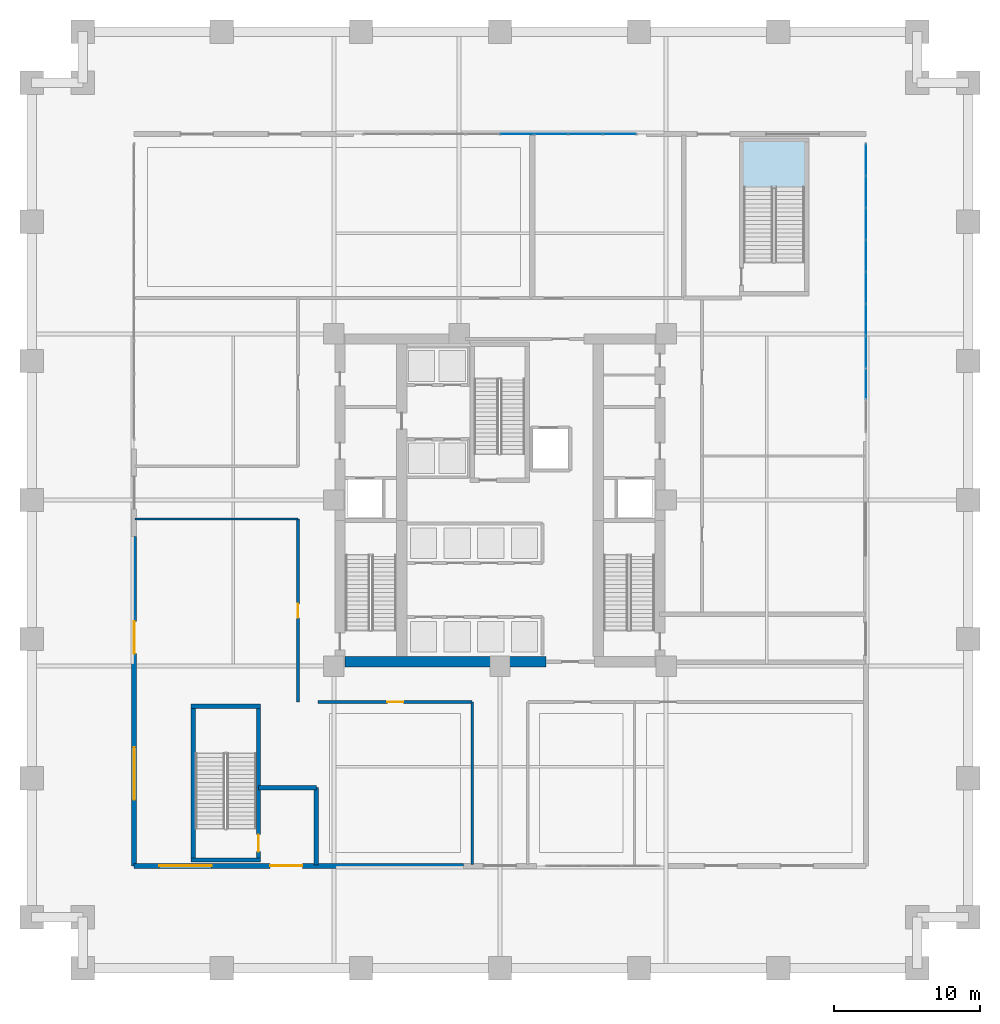
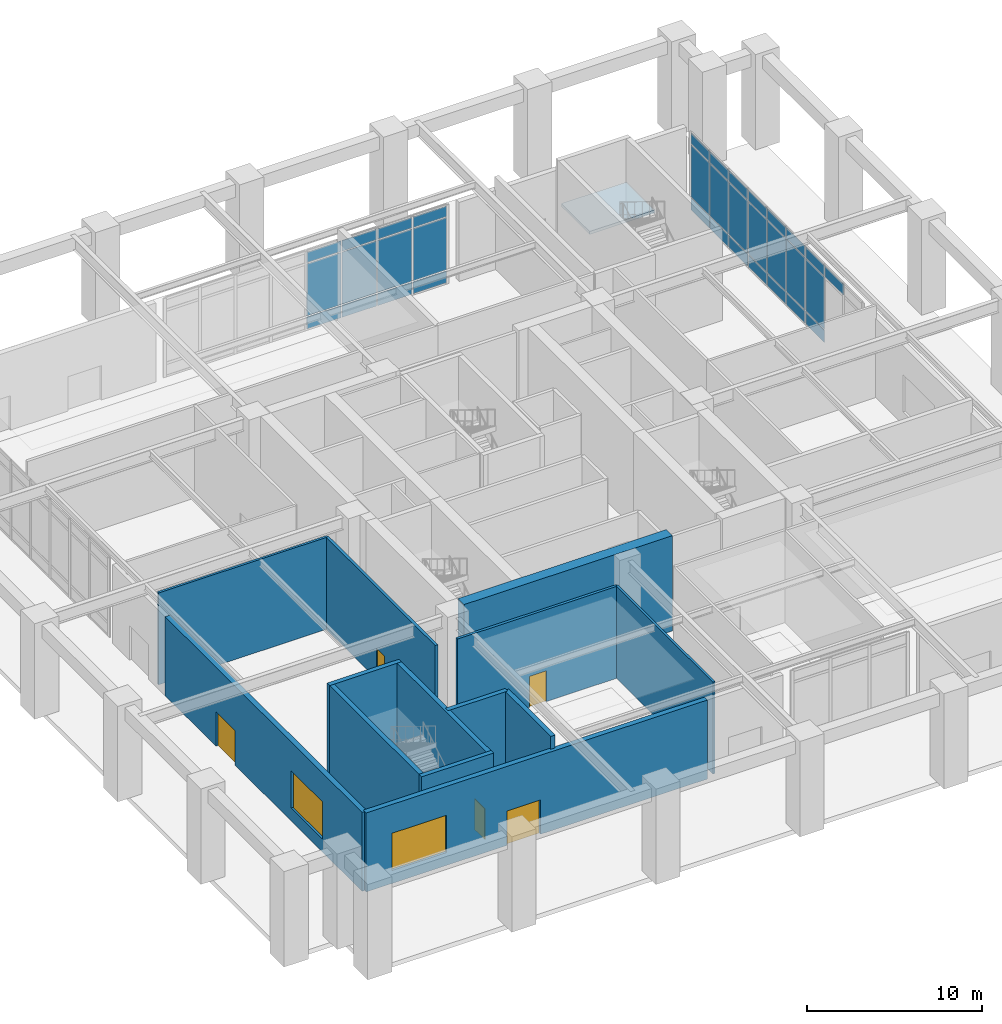
# One storey, part 8 of 17: 34 plates, 13 walls, 5 doors, 2 windows, 1 slab, 7 openings, 3 elements without a shape of their own.
"""IFC4 building model written with IfcOpenShell, lengths in metres."""

import ifcopenshell
import ifcopenshell.guid

model = None  # the IFC model being written
_history = None  # IfcOwnerHistory: only IFC2X3 demands one
_inside = {}  # id of a spatial element -> (the spatial element, [elements in it])
_under = {}  # id of a project, library or spatial element -> (it, [spatial elements below it])
_declared = {}  # id of a project -> (the project, [libraries it declares])
_typed = {}  # id of a type object -> (the type object, [elements of that type])
_made_of = {}  # id of a material, layer set ... -> (it, [elements and type objects made of it])


def new_model(schema):
    """Start an empty IFC model of exactly this schema.

    Asked for "IFC4X3", IfcOpenShell would pick the latest addendum, in which some entities
    have other attributes; the version numbers below select the first issue.
    IFC2X3 requires an IfcOwnerHistory on every rooted entity: one is made here for all.
    """
    global model, _history
    if schema == "IFC4X3":
        model = ifcopenshell.file(schema_version=(4, 3, 0, 0))
    else:
        model = ifcopenshell.file(schema=schema)
    _inside.clear()
    _under.clear()
    _declared.clear()
    _typed.clear()
    _made_of.clear()
    _history = None
    if model.schema == "IFC2X3":
        org = make("IfcOrganization", Name="unknown")
        user = make(
            "IfcPersonAndOrganization",
            ThePerson=make("IfcPerson", FamilyName="unknown"),
            TheOrganization=org,
        )
        app = make(
            "IfcApplication",
            ApplicationDeveloper=org,
            Version="unknown",
            ApplicationFullName="unknown",
            ApplicationIdentifier="unknown",
        )
        _history = make(
            "IfcOwnerHistory",
            OwningUser=user,
            OwningApplication=app,
            ChangeAction="ADDED",
            CreationDate=0,
        )
    return model


def make(cls, **values):
    """One entity of the class cls with the attributes given. An attribute that is None is left unset."""
    return model.create_entity(
        cls, **{name: value for name, value in values.items() if value is not None}
    )


def rooted(cls, **values):
    """An entity with a GlobalId (a new one), such as an element, a storey or a relation."""
    return make(cls, GlobalId=ifcopenshell.guid.new(), OwnerHistory=_history, **values)


def si_unit(unit_type, name, prefix=None):
    """IfcSIUnit, for example si_unit("LENGTHUNIT", "METRE", prefix="MILLI")."""
    return make("IfcSIUnit", UnitType=unit_type, Prefix=prefix, Name=name)


def assignment(units):
    """IfcUnitAssignment: the units of a project."""
    return None if units is None else make("IfcUnitAssignment", Units=units)


def point(xyz):
    """IfcCartesianPoint."""
    return None if xyz is None else make("IfcCartesianPoint", Coordinates=xyz)


def direction(xyz):
    """IfcDirection."""
    return None if xyz is None else make("IfcDirection", DirectionRatios=xyz)


def frame(location, z_axis=None, x_axis=None):
    """IfcAxis2Placement3D, a coordinate frame: its origin and axes. An axis left out is left unset."""
    return make(
        "IfcAxis2Placement3D",
        Location=point(location),
        Axis=direction(z_axis),
        RefDirection=direction(x_axis),
    )


def frame_2d(location, x_axis=None):
    """IfcAxis2Placement2D, a coordinate frame in the plane: its origin and x axis."""
    return make(
        "IfcAxis2Placement2D", Location=point(location), RefDirection=direction(x_axis)
    )


def origin():
    """The frame at (0, 0, 0) with its axes left unset."""
    return frame((0.0, 0.0, 0.0))


def origin_2d():
    """The frame at (0, 0) in the plane with its x axis left unset."""
    return frame_2d((0.0, 0.0))


def place(relative_to, where):
    """IfcLocalPlacement: puts the frame where relative to a parent placement (None: the world)."""
    return make(
        "IfcLocalPlacement", PlacementRelTo=relative_to, RelativePlacement=where
    )


def context(
    kind, dimensions, precision=None, world=None, true_north=None, identifier=None
):
    """IfcGeometricRepresentationContext, for example the 3D "Model" context."""
    return make(
        "IfcGeometricRepresentationContext",
        ContextIdentifier=identifier,
        ContextType=kind,
        CoordinateSpaceDimension=dimensions,
        Precision=precision,
        WorldCoordinateSystem=world,
        TrueNorth=true_north,
    )


def subcontext(parent, identifier, kind, view, scale=None):
    """IfcGeometricRepresentationSubContext, for example "Body" below "Model"."""
    return make(
        "IfcGeometricRepresentationSubContext",
        ContextIdentifier=identifier,
        ContextType=kind,
        ParentContext=parent,
        TargetScale=scale,
        TargetView=view,
    )


def project(units=None, contexts=None):
    """IfcProject with its units and contexts."""
    return rooted(
        "IfcProject",
        Name="project",
        RepresentationContexts=contexts,
        UnitsInContext=assignment(units),
    )


def spatial(cls, under=None, at=None, **own):
    """A site, building, storey or space (cls), placed at a placement, below another one or the project."""
    s = rooted(cls, ObjectPlacement=at, **own)
    if under is not None:
        _under.setdefault(under.id(), (under, []))[1].append(s)
    return s


def polyline(points):
    """IfcPolyline through the points."""
    return make("IfcPolyline", Points=[point(p) for p in points])


def profile(cls, at=None, kind="AREA", **sizes):
    """A parametric profile (cls). Its sizes go by their IFC names, for example OverallWidth=200.0."""
    return make(cls, ProfileType=kind, Position=at, **sizes)


def rectangle(**sizes):
    """IfcRectangleProfileDef."""
    return profile("IfcRectangleProfileDef", **sizes)


def outline(outer, holes=None, kind="AREA"):
    """IfcArbitraryClosedProfileDef: a profile drawn as a closed curve; with holes, ...WithVoids."""
    if holes is None:
        return make("IfcArbitraryClosedProfileDef", ProfileType=kind, OuterCurve=outer)
    return make(
        "IfcArbitraryProfileDefWithVoids",
        ProfileType=kind,
        OuterCurve=outer,
        InnerCurves=holes,
    )


def extrude(swept, where, along, depth):
    """IfcExtrudedAreaSolid: the profile swept, set in the frame where, extruded along a direction by depth."""
    return make(
        "IfcExtrudedAreaSolid",
        SweptArea=swept,
        Position=where,
        ExtrudedDirection=direction(along),
        Depth=depth,
    )


def shape(context_of_items, identifier, shape_type, items):
    """IfcShapeRepresentation: the items that make up one representation, for example the "Body"."""
    return make(
        "IfcShapeRepresentation",
        ContextOfItems=context_of_items,
        RepresentationIdentifier=identifier,
        RepresentationType=shape_type,
        Items=items,
    )


def material(Name=None, Category=None):
    """IfcMaterial."""
    return make("IfcMaterial", Name=Name, Category=Category)


def layer(
    of_material, thickness, ventilated=None, Name=None, Category=None, Priority=None
):
    """IfcMaterialLayer: one layer of a wall or slab, of a material (None: an air gap)."""
    return make(
        "IfcMaterialLayer",
        Material=of_material,
        LayerThickness=thickness,
        IsVentilated=ventilated,
        Name=Name,
        Category=Category,
        Priority=Priority,
    )


def layer_set(layers, Name=None):
    """IfcMaterialLayerSet."""
    return make("IfcMaterialLayerSet", MaterialLayers=layers, LayerSetName=Name)


def made_of(thing, what):
    """Note that an element or type object is made of a material, layer set ...; save() writes the relation."""
    if what is not None:
        _made_of.setdefault(what.id(), (what, []))[1].append(thing)
    return thing


def type_object(cls, material=None, **own):
    """A type object (cls), such as IfcWallType, which elements share."""
    return made_of(rooted(cls, **own), material)


def element(
    cls,
    number,
    at=None,
    inside=None,
    cuts=None,
    type_object=None,
    material=None,
    context=None,
    identifier="Body",
    shape_type=None,
    held_by="IfcProductDefinitionShape",
    body=None,
    shapes=None,
    **own,
):
    """One element of the class cls, such as IfcWall. Its Tag is "e" and its number.

    at: its placement. inside: the storey or other place that contains it. cuts: it is an
    opening in that element (IfcRelVoidsElement). A single representation is given by context,
    identifier, shape_type and body (its items); several are given by shapes. held_by: the class
    of the entity that holds the representations. save() writes the other relations.
    """
    e = rooted(cls, Tag="e%d" % number, ObjectPlacement=at, **own)
    if body is not None:
        shapes = [shape(context, identifier, shape_type, body)]
    if shapes is not None:
        e.Representation = make(held_by, Representations=shapes)
    if inside is not None:
        _inside.setdefault(inside.id(), (inside, []))[1].append(e)
    if cuts is not None:
        rooted(
            "IfcRelVoidsElement", RelatingBuildingElement=cuts, RelatedOpeningElement=e
        )
    if type_object is not None:
        _typed.setdefault(type_object.id(), (type_object, []))[1].append(e)
    return made_of(e, material)


def fill(opening, filler):
    """IfcRelFillsElement: the door or window that sits in an opening."""
    return rooted(
        "IfcRelFillsElement",
        RelatingOpeningElement=opening,
        RelatedBuildingElement=filler,
    )


def aggregate(whole, parts):
    """IfcRelAggregates: a whole, such as a stair, and the parts it consists of."""
    return rooted("IfcRelAggregates", RelatingObject=whole, RelatedObjects=parts)


def save(model, path):
    """Write the relations noted so far, then the file.

    IfcRelAggregates (storeys below a building ...), IfcRelContainedInSpatialStructure (elements
    in a storey), IfcRelDefinesByType, IfcRelAssociatesMaterial and IfcRelDeclares: one each for
    every whole, place, type object, material and project.
    """
    for whole, parts in _under.values():
        aggregate(whole, parts)
    for where, things in _inside.values():
        rooted(
            "IfcRelContainedInSpatialStructure",
            RelatedElements=things,
            RelatingStructure=where,
        )
    for kind, things in _typed.values():
        rooted("IfcRelDefinesByType", RelatedObjects=things, RelatingType=kind)
    for what, things in _made_of.values():
        rooted("IfcRelAssociatesMaterial", RelatedObjects=things, RelatingMaterial=what)
    for by, libraries in _declared.values():
        rooted("IfcRelDeclares", RelatingContext=by, RelatedDefinitions=libraries)
    model.write(path)


model = new_model("IFC4")

# Units and contexts
model_context = context("Model", 3, precision=1e-05, world=origin(), true_north=direction((0.0, 1.0)))
body_context = subcontext(model_context, "Body", "Model", "MODEL_VIEW")
ifc_project = project(units=[si_unit("LENGTHUNIT", "METRE"), si_unit("AREAUNIT", "SQUARE_METRE"), si_unit("VOLUMEUNIT", "CUBIC_METRE"), si_unit("PLANEANGLEUNIT", "RADIAN"), si_unit("MASSUNIT", "GRAM", prefix="KILO")], contexts=[model_context])

# Site, building, storey
site_placement = place(None, origin())
site = spatial("IfcSite", under=ifc_project, at=site_placement, CompositionType="ELEMENT")
building_placement = place(site_placement, origin())
building = spatial("IfcBuilding", under=site, at=building_placement, Name="Nhamokura Convention Tower", CompositionType="ELEMENT")
storey_placement = place(building_placement, origin())
storey = spatial("IfcBuildingStorey", under=building, at=storey_placement, Name="L00", CompositionType="ELEMENT", Elevation=0.0)

# Curtain wall, plates
ifc_material_1 = material(Name="Anodised bronze aluminium AA6063-T6", Category="aluminium")
ifc_layer_1 = layer(ifc_material_1, 0.179931640625)
ifc_layer_set_1 = layer_set([ifc_layer_1], Name="CWSystem_PodiumConcourse")
curtain_wall_type = type_object("IfcCurtainWallType", Name="CWSystem_PodiumConcourse", PredefinedType="NOTDEFINED", material=ifc_layer_set_1)
curtain_wall_1_placement = place(storey_placement, origin())
curtain_wall_1 = element("IfcCurtainWall", 1, at=curtain_wall_1_placement, inside=storey, type_object=curtain_wall_type, Name="L00 Curtain Wall ENV-L00-CW-NCW", PredefinedType="NOTDEFINED")
ifc_material_2 = material(Name="Solar-control bronze low-E double glass", Category="glass")
ifc_layer_2 = layer(ifc_material_2, 0.031982421875)
ifc_layer_set_2 = layer_set([ifc_layer_2], Name="CWGlazedPanel_1")
plate_type = type_object("IfcPlateType", Name="CWGlazedPanel_1", PredefinedType="CURTAIN_PANEL", material=ifc_layer_set_2)
plate_1_placement = place(storey_placement, frame((33.168701171875, 57.0, 0.077880859375), z_axis=(0.0, 0.0, 1.0), x_axis=(1.0, 0.0, 0.0)))
plate_1 = element("IfcPlate", 2, at=plate_1_placement, type_object=plate_type, Name="CW-01 panel 5.1", PredefinedType="CURTAIN_PANEL", context=body_context, shape_type="SweptSolid", body=[
    extrude(rectangle(XDim=2.259521484375, YDim=0.031982421875, at=origin_2d()), origin(), (0.0, 0.0, 1.0), 0.8330078125),
])
plate_2_placement = place(storey_placement, frame((33.168701171875, 57.0, 0.98876953125), z_axis=(0.0, 0.0, 1.0), x_axis=(1.0, 0.0, 0.0)))
plate_2 = element("IfcPlate", 3, at=plate_2_placement, type_object=plate_type, Name="CW-01 panel 5.2", PredefinedType="CURTAIN_PANEL", context=body_context, shape_type="SweptSolid", body=[
    extrude(rectangle(XDim=2.259521484375, YDim=0.031982421875, at=origin_2d()), origin(), (0.0, 0.0, 1.0), 3.632080078125),
])
plate_3_placement = place(storey_placement, frame((33.168701171875, 57.0, 4.698974609375), z_axis=(0.0, 0.0, 1.0), x_axis=(1.0, 0.0, 0.0)))
plate_3 = element("IfcPlate", 4, at=plate_3_placement, type_object=plate_type, Name="CW-01 panel 5.3", PredefinedType="CURTAIN_PANEL", context=body_context, shape_type="SweptSolid", body=[
    extrude(rectangle(XDim=2.259521484375, YDim=0.031982421875, at=origin_2d()), origin(), (0.0, 0.0, 1.0), 0.73291015625),
])
plate_4_placement = place(storey_placement, frame((35.50634765625, 57.0, 0.077880859375), z_axis=(0.0, 0.0, 1.0), x_axis=(1.0, 0.0, 0.0)))
plate_4 = element("IfcPlate", 5, at=plate_4_placement, type_object=plate_type, Name="CW-01 panel 6.1", PredefinedType="CURTAIN_PANEL", context=body_context, shape_type="SweptSolid", body=[
    extrude(rectangle(XDim=2.259521484375, YDim=0.031982421875, at=origin_2d()), origin(), (0.0, 0.0, 1.0), 0.8330078125),
])
plate_5_placement = place(storey_placement, frame((35.50634765625, 57.0, 0.98876953125), z_axis=(0.0, 0.0, 1.0), x_axis=(1.0, 0.0, 0.0)))
plate_5 = element("IfcPlate", 6, at=plate_5_placement, type_object=plate_type, Name="CW-01 panel 6.2", PredefinedType="CURTAIN_PANEL", context=body_context, shape_type="SweptSolid", body=[
    extrude(rectangle(XDim=2.259521484375, YDim=0.031982421875, at=origin_2d()), origin(), (0.0, 0.0, 1.0), 3.632080078125),
])
plate_6_placement = place(storey_placement, frame((35.50634765625, 57.0, 4.698974609375), z_axis=(0.0, 0.0, 1.0), x_axis=(1.0, 0.0, 0.0)))
plate_6 = element("IfcPlate", 7, at=plate_6_placement, type_object=plate_type, Name="CW-01 panel 6.3", PredefinedType="CURTAIN_PANEL", context=body_context, shape_type="SweptSolid", body=[
    extrude(rectangle(XDim=2.259521484375, YDim=0.031982421875, at=origin_2d()), origin(), (0.0, 0.0, 1.0), 0.73291015625),
])
plate_7_placement = place(storey_placement, frame((37.84375, 57.0, 0.077880859375), z_axis=(0.0, 0.0, 1.0), x_axis=(1.0, 0.0, 0.0)))
plate_7 = element("IfcPlate", 8, at=plate_7_placement, type_object=plate_type, Name="CW-01 panel 7.1", PredefinedType="CURTAIN_PANEL", context=body_context, shape_type="SweptSolid", body=[
    extrude(rectangle(XDim=2.259521484375, YDim=0.031982421875, at=origin_2d()), origin(), (0.0, 0.0, 1.0), 0.8330078125),
])
plate_8_placement = place(storey_placement, frame((37.84375, 57.0, 0.98876953125), z_axis=(0.0, 0.0, 1.0), x_axis=(1.0, 0.0, 0.0)))
plate_8 = element("IfcPlate", 9, at=plate_8_placement, type_object=plate_type, Name="CW-01 panel 7.2", PredefinedType="CURTAIN_PANEL", context=body_context, shape_type="SweptSolid", body=[
    extrude(rectangle(XDim=2.259521484375, YDim=0.031982421875, at=origin_2d()), origin(), (0.0, 0.0, 1.0), 3.632080078125),
])
plate_9_placement = place(storey_placement, frame((37.84375, 57.0, 4.698974609375), z_axis=(0.0, 0.0, 1.0), x_axis=(1.0, 0.0, 0.0)))
plate_9 = element("IfcPlate", 10, at=plate_9_placement, type_object=plate_type, Name="CW-01 panel 7.3", PredefinedType="CURTAIN_PANEL", context=body_context, shape_type="SweptSolid", body=[
    extrude(rectangle(XDim=2.259521484375, YDim=0.031982421875, at=origin_2d()), origin(), (0.0, 0.0, 1.0), 0.73291015625),
])
plate_10_placement = place(storey_placement, frame((40.161865234375, 57.0, 0.077880859375), z_axis=(0.0, 0.0, 1.0), x_axis=(1.0, 0.0, 0.0)))
plate_10 = element("IfcPlate", 11, at=plate_10_placement, type_object=plate_type, Name="CW-01 panel 8.1", PredefinedType="CURTAIN_PANEL", context=body_context, shape_type="SweptSolid", body=[
    extrude(rectangle(XDim=2.220458984375, YDim=0.031982421875, at=origin_2d()), origin(), (0.0, 0.0, 1.0), 0.8330078125),
])
plate_11_placement = place(storey_placement, frame((40.161865234375, 57.0, 0.98876953125), z_axis=(0.0, 0.0, 1.0), x_axis=(1.0, 0.0, 0.0)))
plate_11 = element("IfcPlate", 12, at=plate_11_placement, type_object=plate_type, Name="CW-01 panel 8.2", PredefinedType="CURTAIN_PANEL", context=body_context, shape_type="SweptSolid", body=[
    extrude(rectangle(XDim=2.220458984375, YDim=0.031982421875, at=origin_2d()), origin(), (0.0, 0.0, 1.0), 3.632080078125),
])
plate_12_placement = place(storey_placement, frame((40.161865234375, 57.0, 4.698974609375), z_axis=(0.0, 0.0, 1.0), x_axis=(1.0, 0.0, 0.0)))
plate_12 = element("IfcPlate", 13, at=plate_12_placement, type_object=plate_type, Name="CW-01 panel 8.3", PredefinedType="CURTAIN_PANEL", context=body_context, shape_type="SweptSolid", body=[
    extrude(rectangle(XDim=2.220458984375, YDim=0.031982421875, at=origin_2d()), origin(), (0.0, 0.0, 1.0), 0.73291015625),
])
aggregate(curtain_wall_1, [plate_1, plate_2, plate_3, plate_4, plate_5, plate_6, plate_7, plate_8, plate_9, plate_10, plate_11, plate_12])

curtain_wall_2_placement = place(storey_placement, origin())
curtain_wall_2 = element("IfcCurtainWall", 14, at=curtain_wall_2_placement, inside=storey, type_object=curtain_wall_type, Name="L00 Curtain Wall ENV-L00-CW-EN", PredefinedType="NOTDEFINED")
plate_13_placement = place(storey_placement, frame((57.0, 55.236083984375, 0.077880859375), z_axis=(0.0, 0.0, 1.0), x_axis=(0.0, -1.0, 0.0)))
plate_13 = element("IfcPlate", 15, at=plate_13_placement, type_object=plate_type, Name="CW-01 panel 1.1", PredefinedType="CURTAIN_PANEL", context=body_context, shape_type="SweptSolid", body=[
    extrude(rectangle(XDim=2.07177734375, YDim=0.031982421875, at=origin_2d()), origin(), (0.0, 0.0, 1.0), 0.8330078125),
])
plate_14_placement = place(storey_placement, frame((57.0, 55.236083984375, 0.98876953125), z_axis=(0.0, 0.0, 1.0), x_axis=(0.0, -1.0, 0.0)))
plate_14 = element("IfcPlate", 16, at=plate_14_placement, type_object=plate_type, Name="CW-01 panel 1.2", PredefinedType="CURTAIN_PANEL", context=body_context, shape_type="SweptSolid", body=[
    extrude(rectangle(XDim=2.07177734375, YDim=0.031982421875, at=origin_2d()), origin(), (0.0, 0.0, 1.0), 3.632080078125),
])
plate_15_placement = place(storey_placement, frame((57.0, 55.236083984375, 4.698974609375), z_axis=(0.0, 0.0, 1.0), x_axis=(0.0, -1.0, 0.0)))
plate_15 = element("IfcPlate", 17, at=plate_15_placement, type_object=plate_type, Name="CW-01 panel 1.3", PredefinedType="CURTAIN_PANEL", context=body_context, shape_type="SweptSolid", body=[
    extrude(rectangle(XDim=2.07177734375, YDim=0.031982421875, at=origin_2d()), origin(), (0.0, 0.0, 1.0), 0.73291015625),
])
plate_16_placement = place(storey_placement, frame((57.0, 53.066650390625, 0.077880859375), z_axis=(0.0, 0.0, 1.0), x_axis=(0.0, -1.0, 0.0)))
plate_16 = element("IfcPlate", 18, at=plate_16_placement, type_object=plate_type, Name="CW-01 panel 2.1", PredefinedType="CURTAIN_PANEL", context=body_context, shape_type="SweptSolid", body=[
    extrude(rectangle(XDim=2.11083984375, YDim=0.031982421875, at=origin_2d()), origin(), (0.0, 0.0, 1.0), 0.8330078125),
])
plate_17_placement = place(storey_placement, frame((57.0, 53.066650390625, 0.98876953125), z_axis=(0.0, 0.0, 1.0), x_axis=(0.0, -1.0, 0.0)))
plate_17 = element("IfcPlate", 19, at=plate_17_placement, type_object=plate_type, Name="CW-01 panel 2.2", PredefinedType="CURTAIN_PANEL", context=body_context, shape_type="SweptSolid", body=[
    extrude(rectangle(XDim=2.11083984375, YDim=0.031982421875, at=origin_2d()), origin(), (0.0, 0.0, 1.0), 3.632080078125),
])
plate_18_placement = place(storey_placement, frame((57.0, 53.066650390625, 4.698974609375), z_axis=(0.0, 0.0, 1.0), x_axis=(0.0, -1.0, 0.0)))
plate_18 = element("IfcPlate", 20, at=plate_18_placement, type_object=plate_type, Name="CW-01 panel 2.3", PredefinedType="CURTAIN_PANEL", context=body_context, shape_type="SweptSolid", body=[
    extrude(rectangle(XDim=2.11083984375, YDim=0.031982421875, at=origin_2d()), origin(), (0.0, 0.0, 1.0), 0.73291015625),
])
plate_19_placement = place(storey_placement, frame((57.0, 50.877685546875, 0.077880859375), z_axis=(0.0, 0.0, 1.0), x_axis=(0.0, -1.0, 0.0)))
plate_19 = element("IfcPlate", 21, at=plate_19_placement, type_object=plate_type, Name="CW-01 panel 3.1", PredefinedType="CURTAIN_PANEL", context=body_context, shape_type="SweptSolid", body=[
    extrude(rectangle(XDim=2.11083984375, YDim=0.031982421875, at=origin_2d()), origin(), (0.0, 0.0, 1.0), 0.8330078125),
])
plate_20_placement = place(storey_placement, frame((57.0, 50.877685546875, 0.98876953125), z_axis=(0.0, 0.0, 1.0), x_axis=(0.0, -1.0, 0.0)))
plate_20 = element("IfcPlate", 22, at=plate_20_placement, type_object=plate_type, Name="CW-01 panel 3.2", PredefinedType="CURTAIN_PANEL", context=body_context, shape_type="SweptSolid", body=[
    extrude(rectangle(XDim=2.11083984375, YDim=0.031982421875, at=origin_2d()), origin(), (0.0, 0.0, 1.0), 3.632080078125),
])
plate_21_placement = place(storey_placement, frame((57.0, 50.877685546875, 4.698974609375), z_axis=(0.0, 0.0, 1.0), x_axis=(0.0, -1.0, 0.0)))
plate_21 = element("IfcPlate", 23, at=plate_21_placement, type_object=plate_type, Name="CW-01 panel 3.3", PredefinedType="CURTAIN_PANEL", context=body_context, shape_type="SweptSolid", body=[
    extrude(rectangle(XDim=2.11083984375, YDim=0.031982421875, at=origin_2d()), origin(), (0.0, 0.0, 1.0), 0.73291015625),
])
plate_22_placement = place(storey_placement, frame((57.0, 48.68896484375, 0.077880859375), z_axis=(0.0, 0.0, 1.0), x_axis=(0.0, -1.0, 0.0)))
plate_22 = element("IfcPlate", 24, at=plate_22_placement, type_object=plate_type, Name="CW-01 panel 4.1", PredefinedType="CURTAIN_PANEL", context=body_context, shape_type="SweptSolid", body=[
    extrude(rectangle(XDim=2.11083984375, YDim=0.031982421875, at=origin_2d()), origin(), (0.0, 0.0, 1.0), 0.8330078125),
])
plate_23_placement = place(storey_placement, frame((57.0, 48.68896484375, 0.98876953125), z_axis=(0.0, 0.0, 1.0), x_axis=(0.0, -1.0, 0.0)))
plate_23 = element("IfcPlate", 25, at=plate_23_placement, type_object=plate_type, Name="CW-01 panel 4.2", PredefinedType="CURTAIN_PANEL", context=body_context, shape_type="SweptSolid", body=[
    extrude(rectangle(XDim=2.11083984375, YDim=0.031982421875, at=origin_2d()), origin(), (0.0, 0.0, 1.0), 3.632080078125),
])
plate_24_placement = place(storey_placement, frame((57.0, 48.68896484375, 4.698974609375), z_axis=(0.0, 0.0, 1.0), x_axis=(0.0, -1.0, 0.0)))
plate_24 = element("IfcPlate", 26, at=plate_24_placement, type_object=plate_type, Name="CW-01 panel 4.3", PredefinedType="CURTAIN_PANEL", context=body_context, shape_type="SweptSolid", body=[
    extrude(rectangle(XDim=2.11083984375, YDim=0.031982421875, at=origin_2d()), origin(), (0.0, 0.0, 1.0), 0.73291015625),
])
plate_25_placement = place(storey_placement, frame((57.0, 46.5, 0.077880859375), z_axis=(0.0, 0.0, 1.0), x_axis=(0.0, -1.0, 0.0)))
plate_25 = element("IfcPlate", 27, at=plate_25_placement, type_object=plate_type, Name="CW-01 panel 5.1", PredefinedType="CURTAIN_PANEL", context=body_context, shape_type="SweptSolid", body=[
    extrude(rectangle(XDim=2.11083984375, YDim=0.031982421875, at=origin_2d()), origin(), (0.0, 0.0, 1.0), 0.8330078125),
])
plate_26_placement = place(storey_placement, frame((57.0, 46.5, 0.98876953125), z_axis=(0.0, 0.0, 1.0), x_axis=(0.0, -1.0, 0.0)))
plate_26 = element("IfcPlate", 28, at=plate_26_placement, type_object=plate_type, Name="CW-01 panel 5.2", PredefinedType="CURTAIN_PANEL", context=body_context, shape_type="SweptSolid", body=[
    extrude(rectangle(XDim=2.11083984375, YDim=0.031982421875, at=origin_2d()), origin(), (0.0, 0.0, 1.0), 3.632080078125),
])
plate_27_placement = place(storey_placement, frame((57.0, 46.5, 4.698974609375), z_axis=(0.0, 0.0, 1.0), x_axis=(0.0, -1.0, 0.0)))
plate_27 = element("IfcPlate", 29, at=plate_27_placement, type_object=plate_type, Name="CW-01 panel 5.3", PredefinedType="CURTAIN_PANEL", context=body_context, shape_type="SweptSolid", body=[
    extrude(rectangle(XDim=2.11083984375, YDim=0.031982421875, at=origin_2d()), origin(), (0.0, 0.0, 1.0), 0.73291015625),
])
plate_28_placement = place(storey_placement, frame((57.0, 44.31103515625, 0.077880859375), z_axis=(0.0, 0.0, 1.0), x_axis=(0.0, -1.0, 0.0)))
plate_28 = element("IfcPlate", 30, at=plate_28_placement, type_object=plate_type, Name="CW-01 panel 6.1", PredefinedType="CURTAIN_PANEL", context=body_context, shape_type="SweptSolid", body=[
    extrude(rectangle(XDim=2.11083984375, YDim=0.031982421875, at=origin_2d()), origin(), (0.0, 0.0, 1.0), 0.8330078125),
])
plate_29_placement = place(storey_placement, frame((57.0, 44.31103515625, 0.98876953125), z_axis=(0.0, 0.0, 1.0), x_axis=(0.0, -1.0, 0.0)))
plate_29 = element("IfcPlate", 31, at=plate_29_placement, type_object=plate_type, Name="CW-01 panel 6.2", PredefinedType="CURTAIN_PANEL", context=body_context, shape_type="SweptSolid", body=[
    extrude(rectangle(XDim=2.11083984375, YDim=0.031982421875, at=origin_2d()), origin(), (0.0, 0.0, 1.0), 3.632080078125),
])
plate_30_placement = place(storey_placement, frame((57.0, 44.31103515625, 4.698974609375), z_axis=(0.0, 0.0, 1.0), x_axis=(0.0, -1.0, 0.0)))
plate_30 = element("IfcPlate", 32, at=plate_30_placement, type_object=plate_type, Name="CW-01 panel 6.3", PredefinedType="CURTAIN_PANEL", context=body_context, shape_type="SweptSolid", body=[
    extrude(rectangle(XDim=2.11083984375, YDim=0.031982421875, at=origin_2d()), origin(), (0.0, 0.0, 1.0), 0.73291015625),
])
plate_31_placement = place(storey_placement, frame((57.0, 42.122314453125, 0.077880859375), z_axis=(0.0, 0.0, 1.0), x_axis=(0.0, -1.0, 0.0)))
plate_31 = element("IfcPlate", 33, at=plate_31_placement, type_object=plate_type, Name="CW-01 panel 7.1", PredefinedType="CURTAIN_PANEL", context=body_context, shape_type="SweptSolid", body=[
    extrude(rectangle(XDim=2.11083984375, YDim=0.031982421875, at=origin_2d()), origin(), (0.0, 0.0, 1.0), 0.8330078125),
])
plate_32_placement = place(storey_placement, frame((57.0, 42.122314453125, 0.98876953125), z_axis=(0.0, 0.0, 1.0), x_axis=(0.0, -1.0, 0.0)))
plate_32 = element("IfcPlate", 34, at=plate_32_placement, type_object=plate_type, Name="CW-01 panel 7.2", PredefinedType="CURTAIN_PANEL", context=body_context, shape_type="SweptSolid", body=[
    extrude(rectangle(XDim=2.11083984375, YDim=0.031982421875, at=origin_2d()), origin(), (0.0, 0.0, 1.0), 3.632080078125),
])
plate_33_placement = place(storey_placement, frame((57.0, 42.122314453125, 4.698974609375), z_axis=(0.0, 0.0, 1.0), x_axis=(0.0, -1.0, 0.0)))
plate_33 = element("IfcPlate", 35, at=plate_33_placement, type_object=plate_type, Name="CW-01 panel 7.3", PredefinedType="CURTAIN_PANEL", context=body_context, shape_type="SweptSolid", body=[
    extrude(rectangle(XDim=2.11083984375, YDim=0.031982421875, at=origin_2d()), origin(), (0.0, 0.0, 1.0), 0.73291015625),
])
plate_34_placement = place(storey_placement, frame((57.0, 39.933349609375, 4.698974609375), z_axis=(0.0, 0.0, 1.0), x_axis=(0.0, -1.0, 0.0)))
plate_34 = element("IfcPlate", 36, at=plate_34_placement, type_object=plate_type, Name="CW-01 panel 8.3", PredefinedType="CURTAIN_PANEL", context=body_context, shape_type="SweptSolid", body=[
    extrude(rectangle(XDim=2.11083984375, YDim=0.031982421875, at=origin_2d()), origin(), (0.0, 0.0, 1.0), 0.73291015625),
])
aggregate(curtain_wall_2, [plate_13, plate_14, plate_15, plate_16, plate_17, plate_18, plate_19, plate_20, plate_21, plate_22, plate_23, plate_24, plate_25, plate_26, plate_27, plate_28, plate_29, plate_30, plate_31, plate_32, plate_33, plate_34])

# Stair, slab
ifc_material_3 = material(Name="Concrete C40/50", Category="concrete")
stair_type = type_object("IfcStairType", Name="PodiumExitStair_2000", PredefinedType="HALF_TURN_STAIR", material=ifc_material_3)
stair_placement = place(storey_placement, origin())
stair = element("IfcStair", 37, at=stair_placement, inside=storey, type_object=stair_type, Name="L00 North-East Podium Smokeproof Stair ST-05", PredefinedType="HALF_TURN_STAIR")
ifc_material_4 = material(Name="Concrete C40/50", Category="concrete")
ifc_layer_3 = layer(ifc_material_4, 0.199951171875)
ifc_layer_set_3 = layer_set([ifc_layer_3], Name="StairLandingSlab_200")
slab_type = type_object("IfcSlabType", Name="StairLandingSlab_200", PredefinedType="LANDING", material=ifc_layer_set_3)
slab_placement = place(storey_placement, frame((0.0, 0.0, 3.125)))
slab = element("IfcSlab", 38, at=slab_placement, type_object=slab_type, Name="ST-05 landing 1", PredefinedType="LANDING", context=body_context, shape_type="SweptSolid", body=[
    extrude(outline(polyline([(52.8798828125, 53.300048828125), (52.8798828125, 56.530029296875), (48.570068359375, 56.530029296875), (48.570068359375, 53.300048828125), (52.8798828125, 53.300048828125)])), origin(), (0.0, 0.0, 1.0), 0.199951171875),
])
aggregate(stair, [slab])

# Wall, openings, door, window
ifc_material_5 = material(Name="Warm buff architectural precast concrete C45/55", Category="concrete")
ifc_layer_4 = layer(ifc_material_5, 0.340087890625)
ifc_layer_set_4 = layer_set([ifc_layer_4], Name="CastStoneBaseWall_340")
wall_type_1 = type_object("IfcWallType", Name="CastStoneBaseWall_340", PredefinedType="USERDEFINED", material=ifc_layer_set_4)
wall_1_placement = place(storey_placement, frame((29.5, 7.0, 0.0), z_axis=(0.0, 0.0, 1.0), x_axis=(-1.0, 0.0, 0.0)))
wall_1 = element("IfcWall", 39, at=wall_1_placement, inside=storey, type_object=wall_type_1, Name="L00 Arrival Pavilion Wall SL", ObjectType="SPANDREL_WALL", PredefinedType="USERDEFINED", context=body_context, shape_type="SweptSolid", body=[
    extrude(rectangle(XDim=22.5, YDim=0.340087890625, at=frame_2d((11.25, 0.0))), origin(), (0.0, 0.0, 1.0), 5.510009765625),
])
opening_1_placement = place(wall_1_placement, frame((11.0, 0.0, 0.0)))
opening_1 = element("IfcOpeningElement", 40, at=opening_1_placement, cuts=wall_1, Name="Opening D-01", PredefinedType="OPENING", context=body_context, shape_type="SweptSolid", body=[
    extrude(rectangle(XDim=2.199951171875, YDim=2.39990234375, at=frame_2d((1.10009765625, 1.199951171875))), frame((0.0, 0.179931640625, 0.0), z_axis=(0.0, -1.0, 0.0), x_axis=(1.0, 0.0, 0.0)), (0.0, 0.0, 1.0), 0.360107421875),
])
opening_2_placement = place(wall_1_placement, frame((17.199951171875, 0.0, 0.89990234375)))
opening_2 = element("IfcOpeningElement", 41, at=opening_2_placement, cuts=wall_1, Name="Opening W-01", PredefinedType="OPENING", context=body_context, shape_type="SweptSolid", body=[
    extrude(rectangle(XDim=3.60009765625, YDim=2.60009765625, at=frame_2d((1.800048828125, 1.300048828125))), frame((0.0, 0.179931640625, 0.0), z_axis=(0.0, -1.0, 0.0), x_axis=(1.0, 0.0, 0.0)), (0.0, 0.0, 1.0), 0.360107421875),
])
ifc_material_6 = material(Name="Anodised bronze aluminium AA6063-T6", Category="aluminium")
door_type_1 = type_object("IfcDoorType", Name="FinalExitDoubleDoor_2200", OperationType="DOUBLE_DOOR_SINGLE_SWING", PredefinedType="DOOR", material=ifc_material_6)
door_1_placement = place(opening_1_placement, origin())
door_1 = element("IfcDoor", 42, at=door_1_placement, inside=storey, type_object=door_type_1, Name="L00 Pedestrian Final Exit Door EX-01", OperationType="DOUBLE_DOOR_SINGLE_SWING", OverallHeight=2.39990234375, OverallWidth=2.199951171875, PredefinedType="DOOR", context=body_context, shape_type="SweptSolid", body=[
    extrude(rectangle(XDim=2.199951171875, YDim=2.39990234375, at=frame_2d((1.10009765625, 1.199951171875))), frame((0.0, 0.02490234375, 0.0), z_axis=(0.0, -1.0, 0.0), x_axis=(1.0, 0.0, 0.0)), (0.0, 0.0, 1.0), 0.050048828125),
])
fill(opening_1, door_1)
ifc_material_7 = material(Name="Solar-control bronze low-E double glass", Category="glass")
window_type = type_object("IfcWindowType", Name="PodiumClerestoryWindow_3600", PartitioningType="TRIPLE_PANEL_VERTICAL", PredefinedType="WINDOW", material=ifc_material_7)
window_1_placement = place(opening_2_placement, origin())
window_1 = element("IfcWindow", 43, at=window_1_placement, inside=storey, type_object=window_type, Name="L00 Pavilion Window WIN-SL", OverallHeight=2.60009765625, OverallWidth=3.60009765625, PartitioningType="SINGLE_PANEL", PredefinedType="WINDOW", context=body_context, shape_type="SweptSolid", body=[
    extrude(rectangle(XDim=3.60009765625, YDim=2.60009765625, at=frame_2d((1.800048828125, 1.300048828125))), frame((0.0, 0.030029296875, 0.0), z_axis=(0.0, -1.0, 0.0), x_axis=(1.0, 0.0, 0.0)), (0.0, 0.0, 1.0), 0.06005859375),
])
fill(opening_2, window_1)

wall_2_placement = place(storey_placement, frame((7.0, 7.0, 0.0), z_axis=(0.0, 0.0, 1.0), x_axis=(0.0, 1.0, 0.0)))
wall_2 = element("IfcWall", 44, at=wall_2_placement, inside=storey, type_object=wall_type_1, Name="L00 Arrival Pavilion Wall WS", ObjectType="SPANDREL_WALL", PredefinedType="USERDEFINED", context=body_context, shape_type="SweptSolid", body=[
    extrude(rectangle(XDim=22.5, YDim=0.340087890625, at=frame_2d((11.25, 0.0))), origin(), (0.0, 0.0, 1.0), 5.510009765625),
])
opening_3_placement = place(wall_2_placement, frame((14.5, 0.0, 0.0)))
opening_3 = element("IfcOpeningElement", 45, at=opening_3_placement, cuts=wall_2, Name="Opening D-01", PredefinedType="OPENING", context=body_context, shape_type="SweptSolid", body=[
    extrude(rectangle(XDim=2.199951171875, YDim=2.39990234375, at=frame_2d((1.10009765625, 1.199951171875))), frame((0.0, 0.179931640625, 0.0), z_axis=(0.0, -1.0, 0.0), x_axis=(1.0, 0.0, 0.0)), (0.0, 0.0, 1.0), 0.360107421875),
])
opening_4_placement = place(wall_2_placement, frame((4.5, 0.0, 0.89990234375)))
opening_4 = element("IfcOpeningElement", 46, at=opening_4_placement, cuts=wall_2, Name="Opening W-01", PredefinedType="OPENING", context=body_context, shape_type="SweptSolid", body=[
    extrude(rectangle(XDim=3.60009765625, YDim=2.60009765625, at=frame_2d((1.800048828125, 1.300048828125))), frame((0.0, 0.179931640625, 0.0), z_axis=(0.0, -1.0, 0.0), x_axis=(1.0, 0.0, 0.0)), (0.0, 0.0, 1.0), 0.360107421875),
])
door_2_placement = place(opening_3_placement, origin())
door_2 = element("IfcDoor", 47, at=door_2_placement, inside=storey, type_object=door_type_1, Name="L00 Pedestrian Final Exit Door EX-09", OperationType="DOUBLE_DOOR_SINGLE_SWING", OverallHeight=2.39990234375, OverallWidth=2.199951171875, PredefinedType="DOOR", context=body_context, shape_type="SweptSolid", body=[
    extrude(rectangle(XDim=2.199951171875, YDim=2.39990234375, at=frame_2d((1.10009765625, 1.199951171875))), frame((0.0, 0.02490234375, 0.0), z_axis=(0.0, -1.0, 0.0), x_axis=(1.0, 0.0, 0.0)), (0.0, 0.0, 1.0), 0.050048828125),
])
fill(opening_3, door_2)
window_2_placement = place(opening_4_placement, origin())
window_2 = element("IfcWindow", 48, at=window_2_placement, inside=storey, type_object=window_type, Name="L00 Pavilion Window WIN-WS", OverallHeight=2.60009765625, OverallWidth=3.60009765625, PartitioningType="SINGLE_PANEL", PredefinedType="WINDOW", context=body_context, shape_type="SweptSolid", body=[
    extrude(rectangle(XDim=3.60009765625, YDim=2.60009765625, at=frame_2d((1.800048828125, 1.300048828125))), frame((0.0, 0.030029296875, 0.0), z_axis=(0.0, -1.0, 0.0), x_axis=(1.0, 0.0, 0.0)), (0.0, 0.0, 1.0), 0.06005859375),
])
fill(opening_4, window_2)

# Wall
ifc_material_8 = material(Name="Concrete C70/85", Category="concrete")
ifc_layer_5 = layer(ifc_material_8, 0.699951171875)
ifc_layer_set_5 = layer_set([ifc_layer_5], Name="CoreShearWall_700")
wall_type_2 = type_object("IfcWallType", Name="CoreShearWall_700", PredefinedType="SHEAR", material=ifc_layer_set_5)
wall_3_placement = place(storey_placement, frame((21.409912109375, 20.949951171875, 0.0), z_axis=(0.0, 0.0, 1.0), x_axis=(1.0, 0.0, 0.0)))
element("IfcWall", 49, at=wall_3_placement, inside=storey, type_object=wall_type_2, Name="L00 Core Shear Wall CW-S1", PredefinedType="SHEAR", context=body_context, shape_type="SweptSolid", body=[
    extrude(rectangle(XDim=13.739990234375, YDim=0.699951171875, at=frame_2d((6.8701171875, 0.0))), origin(), (0.0, 0.0, 1.0), 6.64990234375),
])

# Wall, opening, door
ifc_material_9 = material(Name="Fire-rated gypsum and masonry partition", Category="masonry")
ifc_layer_6 = layer(ifc_material_9, 0.179931640625)
ifc_layer_set_6 = layer_set([ifc_layer_6], Name="CorridorRatedWall_180")
wall_type_3 = type_object("IfcWallType", Name="CorridorRatedWall_180", PredefinedType="STANDARD", material=ifc_layer_set_6)
wall_4_placement = place(storey_placement, frame((19.550048828125, 18.199951171875, 0.0), z_axis=(0.0, 0.0, 1.0), x_axis=(1.0, 0.0, 0.0)))
wall_4 = element("IfcWall", 50, at=wall_4_placement, inside=storey, type_object=wall_type_3, Name="L00 Wall INT-L00-CW-SW00", PredefinedType="STANDARD", context=body_context, shape_type="SweptSolid", body=[
    extrude(rectangle(XDim=10.550048828125, YDim=0.179931640625, at=frame_2d((5.27490234375, 0.0))), origin(), (0.0, 0.0, 1.0), 6.409912109375),
])
opening_5_placement = place(wall_4_placement, frame((4.75, 0.0, 0.0)))
opening_5 = element("IfcOpeningElement", 51, at=opening_5_placement, cuts=wall_4, Name="Opening D-05", PredefinedType="OPENING", context=body_context, shape_type="SweptSolid", body=[
    extrude(rectangle(XDim=1.10009765625, YDim=2.14990234375, at=frame_2d((0.550048828125, 1.074951171875))), frame((0.0, 0.099853515625, 0.0), z_axis=(0.0, -1.0, 0.0), x_axis=(1.0, 0.0, 0.0)), (0.0, 0.0, 1.0), 0.199951171875),
])
ifc_material_10 = material(Name="Fire-rated steel door", Category="steel")
door_type_2 = type_object("IfcDoorType", Name="FireLobbyDoor_1100", OperationType="NOTDEFINED", PredefinedType="DOOR", material=ifc_material_10)
door_3_placement = place(opening_5_placement, origin())
door_3 = element("IfcDoor", 52, at=door_3_placement, inside=storey, type_object=door_type_2, Name="L00 Convention Registration Hall SW01 Door", OperationType="SINGLE_SWING_LEFT", OverallHeight=2.14990234375, OverallWidth=1.10009765625, PredefinedType="DOOR", context=body_context, shape_type="SweptSolid", body=[
    extrude(rectangle(XDim=1.10009765625, YDim=2.14990234375, at=frame_2d((0.550048828125, 1.074951171875))), frame((0.0, 0.02490234375, 0.0), z_axis=(0.0, -1.0, 0.0), x_axis=(1.0, 0.0, 0.0)), (0.0, 0.0, 1.0), 0.050048828125),
])
fill(opening_5, door_3)

wall_5_placement = place(storey_placement, frame((18.199951171875, 18.199951171875, 0.0), z_axis=(0.0, 0.0, 1.0), x_axis=(0.0, 1.0, 0.0)))
wall_5 = element("IfcWall", 53, at=wall_5_placement, inside=storey, type_object=wall_type_3, Name="L00 Wall INT-L00-CW-WS00", PredefinedType="STANDARD", context=body_context, shape_type="SweptSolid", body=[
    extrude(rectangle(XDim=12.5, YDim=0.179931640625, at=frame_2d((6.25, 0.0))), origin(), (0.0, 0.0, 1.0), 6.409912109375),
])
opening_6_placement = place(wall_5_placement, frame((5.75, 0.0, 0.0)))
opening_6 = element("IfcOpeningElement", 54, at=opening_6_placement, cuts=wall_5, Name="Opening D-09", PredefinedType="OPENING", context=body_context, shape_type="SweptSolid", body=[
    extrude(rectangle(XDim=0.949951171875, YDim=2.14990234375, at=frame_2d((0.47509765625, 1.074951171875))), frame((0.0, 0.099853515625, 0.0), z_axis=(0.0, -1.0, 0.0), x_axis=(1.0, 0.0, 0.0)), (0.0, 0.0, 1.0), 0.199951171875),
])
ifc_material_11 = material(Name="Solid oak hardwood", Category="wood")
door_type_3 = type_object("IfcDoorType", Name="MeetingRoomDoor_950", OperationType="NOTDEFINED", PredefinedType="DOOR", material=ifc_material_11)
door_4_placement = place(opening_6_placement, origin())
door_4 = element("IfcDoor", 55, at=door_4_placement, inside=storey, type_object=door_type_3, Name="L00 Security Control Room WS01 Door", OperationType="SINGLE_SWING_LEFT", OverallHeight=2.14990234375, OverallWidth=0.949951171875, PredefinedType="DOOR", context=body_context, shape_type="SweptSolid", body=[
    extrude(rectangle(XDim=0.949951171875, YDim=2.14990234375, at=frame_2d((0.47509765625, 1.074951171875))), frame((0.0, 0.02490234375, 0.0), z_axis=(0.0, -1.0, 0.0), x_axis=(1.0, 0.0, 0.0)), (0.0, 0.0, 1.0), 0.050048828125),
])
fill(opening_6, door_4)

# Walls
ifc_material_12 = material(Name="Acoustic gypsum stud partition", Category="masonry")
ifc_layer_7 = layer(ifc_material_12, 0.14990234375)
ifc_layer_set_7 = layer_set([ifc_layer_7], Name="InteriorPartition_150")
wall_type_4 = type_object("IfcWallType", Name="InteriorPartition_150", PredefinedType="STANDARD", material=ifc_layer_set_7)
wall_6_placement = place(storey_placement, frame((7.050048828125, 30.699951171875, 0.0), z_axis=(0.0, 0.0, 1.0), x_axis=(1.0, 0.0, 0.0)))
element("IfcWall", 56, at=wall_6_placement, inside=storey, type_object=wall_type_4, Name="L00 Wall INT-L00-WP-S", PredefinedType="STANDARD", context=body_context, shape_type="SweptSolid", body=[
    extrude(rectangle(XDim=11.14990234375, YDim=0.14990234375, at=frame_2d((5.574951171875, 0.0))), origin(), (0.0, 0.0, 1.0), 6.409912109375),
])
wall_7_placement = place(storey_placement, frame((30.10009765625, 7.10009765625, 0.0), z_axis=(0.0, 0.0, 1.0), x_axis=(0.0, 1.0, 0.0)))
element("IfcWall", 57, at=wall_7_placement, inside=storey, type_object=wall_type_4, Name="L00 Wall INT-L00-RWR-SW", PredefinedType="STANDARD", context=body_context, shape_type="SweptSolid", body=[
    extrude(rectangle(XDim=11.099853515625, YDim=0.14990234375, at=frame_2d((5.5498046875, 0.0))), origin(), (0.0, 0.0, 1.0), 6.409912109375),
])
ifc_material_13 = material(Name="Concrete C50/60", Category="concrete")
ifc_layer_8 = layer(ifc_material_13, 0.300048828125)
ifc_layer_set_8 = layer_set([ifc_layer_8], Name="ShaftEnclosureWall_300")
wall_type_5 = type_object("IfcWallType", Name="ShaftEnclosureWall_300", PredefinedType="SHEAR", material=ifc_layer_set_8)
wall_8_placement = place(storey_placement, frame((11.050048828125, 7.39990234375, 0.0), z_axis=(0.0, 0.0, 1.0), x_axis=(0.0, 1.0, 0.0)))
element("IfcWall", 58, at=wall_8_placement, inside=storey, type_object=wall_type_5, Name="L00 Wall INT-L00-ST04-W", PredefinedType="SHEAR", context=body_context, shape_type="SweptSolid", body=[
    extrude(rectangle(XDim=10.5, YDim=0.300048828125, at=frame_2d((5.25, 0.0))), origin(), (0.0, 0.0, 1.0), 6.409912109375),
])

# Wall, opening, door
wall_9_placement = place(storey_placement, frame((15.5, 7.39990234375, 0.0), z_axis=(0.0, 0.0, 1.0), x_axis=(0.0, 1.0, 0.0)))
wall_9 = element("IfcWall", 59, at=wall_9_placement, inside=storey, type_object=wall_type_5, Name="L00 Wall INT-L00-ST04-E", PredefinedType="SHEAR", context=body_context, shape_type="SweptSolid", body=[
    extrude(rectangle(XDim=10.5, YDim=0.300048828125, at=frame_2d((5.25, 0.0))), origin(), (0.0, 0.0, 1.0), 6.409912109375),
])
opening_7_placement = place(wall_9_placement, frame((0.580078125, 0.0, 0.0)))
opening_7 = element("IfcOpeningElement", 60, at=opening_7_placement, cuts=wall_9, Name="Opening D-04", PredefinedType="OPENING", context=body_context, shape_type="SweptSolid", body=[
    extrude(rectangle(XDim=1.14990234375, YDim=2.14990234375, at=frame_2d((0.574951171875, 1.074951171875))), frame((0.0, 0.159912109375, 0.0), z_axis=(0.0, -1.0, 0.0), x_axis=(1.0, 0.0, 0.0)), (0.0, 0.0, 1.0), 0.320068359375),
])
ifc_material_14 = material(Name="Fire-rated steel door", Category="steel")
door_type_4 = type_object("IfcDoorType", Name="StairSmokeDoor_1150", OperationType="NOTDEFINED", PredefinedType="DOOR", material=ifc_material_14)
door_5_placement = place(opening_7_placement, origin())
door_5 = element("IfcDoor", 61, at=door_5_placement, inside=storey, type_object=door_type_4, Name="L00 Stair ST-04 Smoke Door", OperationType="SINGLE_SWING_RIGHT", OverallHeight=2.14990234375, OverallWidth=1.14990234375, PredefinedType="DOOR", context=body_context, shape_type="SweptSolid", body=[
    extrude(rectangle(XDim=1.14990234375, YDim=2.14990234375, at=frame_2d((0.574951171875, 1.074951171875))), frame((0.0, 0.02490234375, 0.0), z_axis=(0.0, -1.0, 0.0), x_axis=(1.0, 0.0, 0.0)), (0.0, 0.0, 1.0), 0.050048828125),
])
fill(opening_7, door_5)

# Walls
for number, where, z_axis, x_axis, name in (
    (62, (10.89990234375, 7.39990234375, 0.0), (0.0, 0.0, 1.0), (1.0, 0.0, 0.0), "L00 Wall INT-L00-ST04-S"),
    (63, (10.89990234375, 17.89990234375, 0.0), (0.0, 0.0, 1.0), (1.0, 0.0, 0.0), "L00 Wall INT-L00-ST04-N"),
):
    element("IfcWall", number, at=place(storey_placement, frame(where, z_axis=z_axis, x_axis=x_axis)), inside=storey, type_object=wall_type_5, Name=name, PredefinedType="SHEAR", context=body_context, shape_type="SweptSolid", body=[
        extrude(rectangle(XDim=4.75, YDim=0.300048828125, at=frame_2d((2.375, 0.0))), origin(), (0.0, 0.0, 1.0), 6.409912109375),
    ])
wall_10_placement = place(storey_placement, frame((19.449951171875, 7.050048828125, 0.0), z_axis=(0.0, 0.0, 1.0), x_axis=(0.0, 1.0, 0.0)))
element("IfcWall", 64, at=wall_10_placement, inside=storey, type_object=wall_type_5, Name="L00 Wall INT-L00-EXDSW-E", PredefinedType="SHEAR", context=body_context, shape_type="SweptSolid", body=[
    extrude(rectangle(XDim=5.300048828125, YDim=0.300048828125, at=frame_2d((2.64990234375, 0.0))), origin(), (0.0, 0.0, 1.0), 6.409912109375),
])
wall_11_placement = place(storey_placement, frame((15.5, 12.35009765625, 0.0), z_axis=(0.0, 0.0, 1.0), x_axis=(1.0, 0.0, 0.0)))
element("IfcWall", 65, at=wall_11_placement, inside=storey, type_object=wall_type_5, Name="L00 Wall INT-L00-EXDSW-N", PredefinedType="SHEAR", context=body_context, shape_type="SweptSolid", body=[
    extrude(rectangle(XDim=3.949951171875, YDim=0.300048828125, at=frame_2d((1.97509765625, 0.0))), origin(), (0.0, 0.0, 1.0), 6.409912109375),
])

save(model, "model.ifc")
